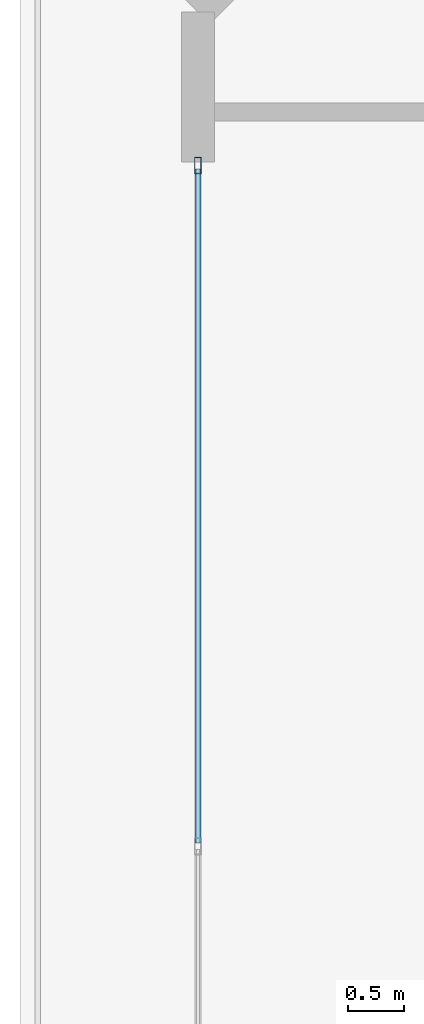
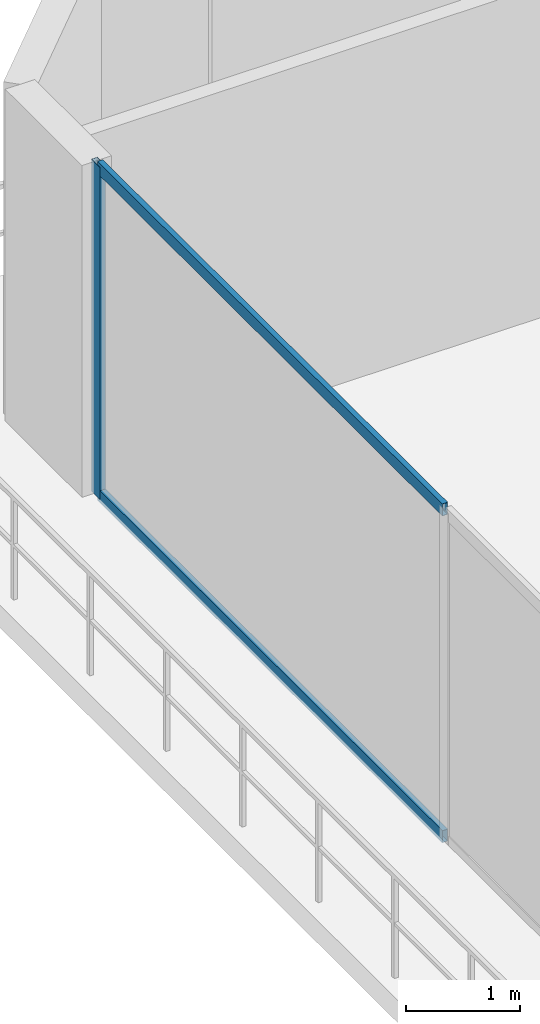
# One storey, part 8 of 16: 3 members, 1 element without a shape of its own.
"""IFC4 building model written with IfcOpenShell, lengths in metres."""

from ifc_helpers import new_model, si_unit, direction, frame, origin, origin_2d, place, context, subcontext, project, spatial, hollow_rectangle, extrude, material, layer, layer_set, material_profile, profile_set, type_object, element, aggregate, save


model = new_model("IFC4")

# Units and contexts
model_context = context("Model", 3, precision=1e-05, world=origin(), true_north=direction((0.0, 1.0)))
body_context = subcontext(model_context, "Body", "Model", "MODEL_VIEW")
ifc_project = project(units=[si_unit("LENGTHUNIT", "METRE"), si_unit("AREAUNIT", "SQUARE_METRE"), si_unit("VOLUMEUNIT", "CUBIC_METRE"), si_unit("PLANEANGLEUNIT", "RADIAN"), si_unit("MASSUNIT", "GRAM", prefix="KILO")], contexts=[model_context])

# Site, building, storey
site_placement = place(None, origin())
site = spatial("IfcSite", under=ifc_project, at=site_placement, CompositionType="ELEMENT")
building_placement = place(site_placement, origin())
building = spatial("IfcBuilding", under=site, at=building_placement, Name="Zuhayl Quay Hotel", CompositionType="ELEMENT")
storey_placement = place(building_placement, frame((0.0, 0.0, 308.64990234375)))
storey = spatial("IfcBuildingStorey", under=building, at=storey_placement, Name="Crown 4", CompositionType="ELEMENT", Elevation=308.64990234375)

# Curtain wall, members
ifc_material_1 = material(Name="Anodised Aluminium 6063-T6", Category="aluminium")
ifc_layer = layer(ifc_material_1, 0.159912109375, Name="Anodised Aluminium 6063-T6", Category="aluminium")
ifc_layer_set = layer_set([ifc_layer], Name="Anodised Aluminium 6063-T6")
curtain_wall_type = type_object("IfcCurtainWallType", Name="CW_SYS_CRN", PredefinedType="USERDEFINED", material=ifc_layer_set)
curtain_wall_placement = place(storey_placement, origin())
curtain_wall = element("IfcCurtainWall", 1, at=curtain_wall_placement, inside=storey, type_object=curtain_wall_type, Name="Crown 4 Curtain Wall ENV_CR4_E1_CW1", ObjectType="UNITISED CURTAIN WALL", PredefinedType="USERDEFINED")
ifc_material_2 = material(Name="Black-anodised aluminium 6063-T6", Category="aluminium")
ifc_material_profile_1 = material_profile(ifc_material_2, hollow_rectangle(XDim=0.06005859375, YDim=0.14990234375, WallThickness=0.00341796875, at=origin_2d()), Name="ALU150X60")
ifc_profile_set_1 = profile_set([ifc_material_profile_1], Name="Black-anodised aluminium 6063-T6")
member_type_1 = type_object("IfcMemberType", Name="MB_CW_MUL_150", PredefinedType="MULLION", material=ifc_profile_set_1)
member_1_placement = place(storey_placement, frame((-15.60009765625, 34.969970703125, 0.0), z_axis=(0.0, 0.0, 1.0), x_axis=(-1.0, 0.0, 0.0)))
member_1 = element("IfcMember", 2, at=member_1_placement, type_object=member_type_1, Name="CW-CRN mullion 4", PredefinedType="MULLION", context=body_context, shape_type="SweptSolid", body=[
    extrude(hollow_rectangle(XDim=0.06005859375, YDim=0.14990234375, WallThickness=0.00341796875, at=origin_2d()), origin(), (0.0, 0.0, 1.0), 3.56005859375),
])
ifc_material_profile_2 = material_profile(ifc_material_2, hollow_rectangle(XDim=0.054931640625, YDim=0.1298828125, WallThickness=0.0029296875, at=origin_2d()), Name="ALU130X55")
ifc_profile_set_2 = profile_set([ifc_material_profile_2], Name="Black-anodised aluminium 6063-T6")
member_type_2 = type_object("IfcMemberType", Name="MB_CW_TRN_130", PredefinedType="USERDEFINED", material=ifc_profile_set_2)
member_2_placement = place(storey_placement, frame((-15.60009765625, 28.8798828125, 0.027587890625), z_axis=(0.0, 1.0, 0.0), x_axis=(-1.0, 0.0, 0.0)))
member_2 = element("IfcMember", 3, at=member_2_placement, type_object=member_type_2, Name="CW-CRN transom 3.1", ObjectType="TRANSOM", PredefinedType="USERDEFINED", context=body_context, shape_type="SweptSolid", body=[
    extrude(hollow_rectangle(XDim=0.054931640625, YDim=0.1298828125, WallThickness=0.0029296875, at=origin_2d()), origin(), (0.0, 0.0, 1.0), 6.06005859375),
])
member_3_placement = place(storey_placement, frame((-15.60009765625, 28.8798828125, 3.53271484375), z_axis=(0.0, 1.0, 0.0), x_axis=(-1.0, 0.0, 0.0)))
member_3 = element("IfcMember", 4, at=member_3_placement, type_object=member_type_2, Name="CW-CRN transom 3.2", ObjectType="TRANSOM", PredefinedType="USERDEFINED", context=body_context, shape_type="SweptSolid", body=[
    extrude(hollow_rectangle(XDim=0.054931640625, YDim=0.1298828125, WallThickness=0.0029296875, at=origin_2d()), origin(), (0.0, 0.0, 1.0), 6.06005859375),
])
aggregate(curtain_wall, [member_1, member_2, member_3])

save(model, "model.ifc")
